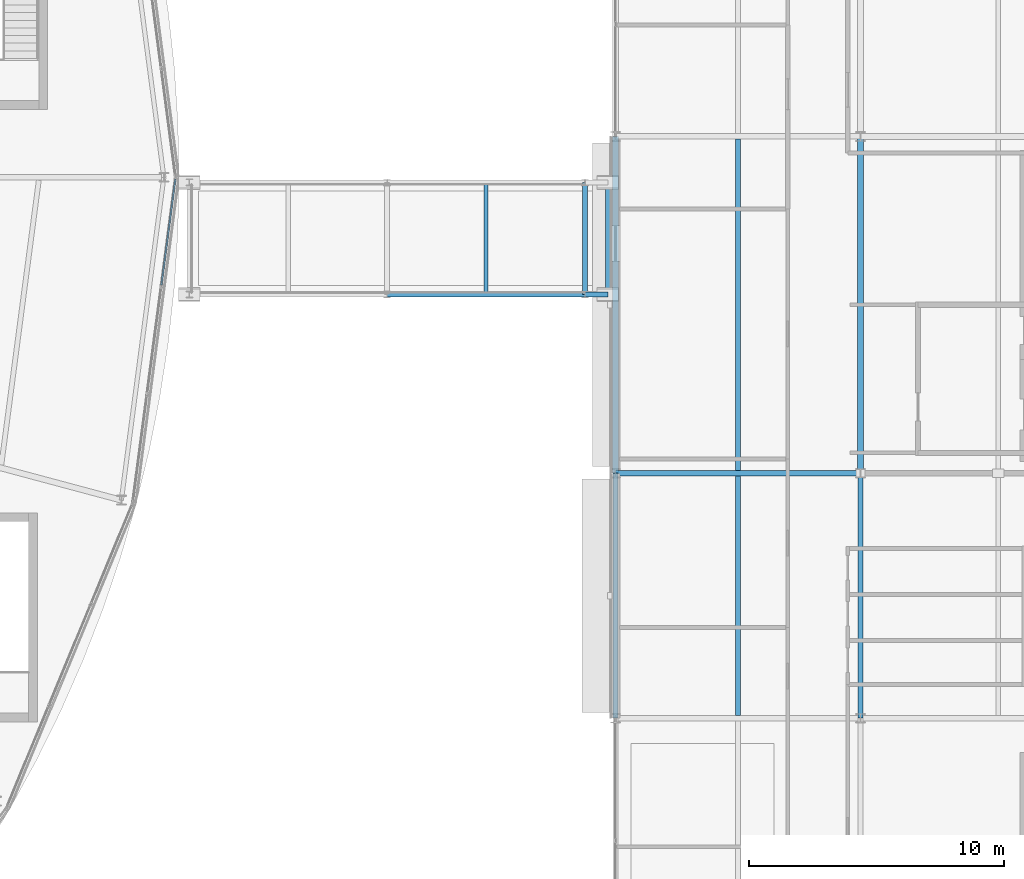
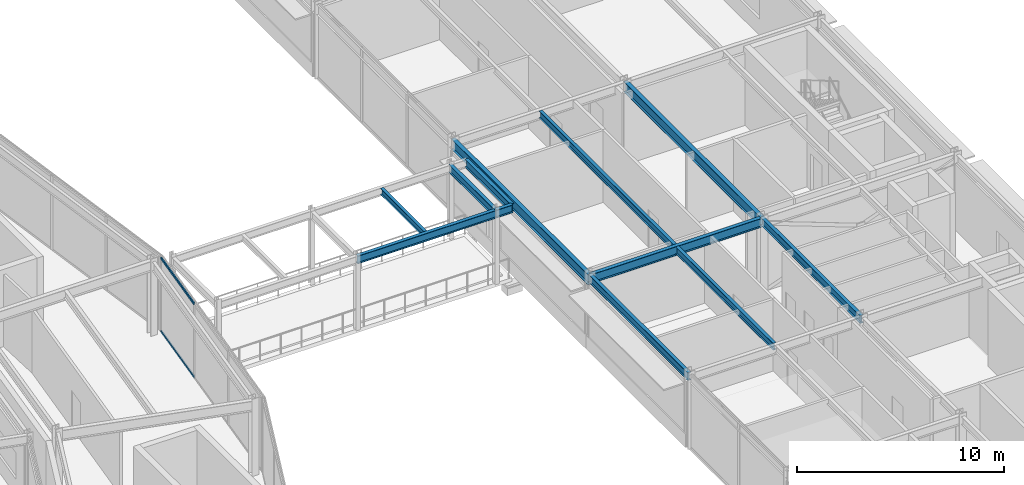
# One storey, part 95 of 157: 12 beams, 2 members, 1 element without a shape of its own.
"""IFC4 building model written with IfcOpenShell, lengths in metres."""

from ifc_helpers import new_model, si_unit, direction, frame, origin, origin_2d, place, context, subcontext, project, spatial, hollow_rectangle, i_section, extrude, material, material_profile, profile_set, type_object, element, aggregate, save


model = new_model("IFC4")

# Units and contexts
model_context = context("Model", 3, precision=1e-05, world=origin(), true_north=direction((0.0, 1.0)))
body_context = subcontext(model_context, "Body", "Model", "MODEL_VIEW")
ifc_project = project(units=[si_unit("LENGTHUNIT", "METRE"), si_unit("AREAUNIT", "SQUARE_METRE"), si_unit("VOLUMEUNIT", "CUBIC_METRE"), si_unit("PLANEANGLEUNIT", "RADIAN"), si_unit("MASSUNIT", "GRAM", prefix="KILO")], contexts=[model_context])

# Site, building, storey
site_placement = place(None, origin())
site = spatial("IfcSite", under=ifc_project, at=site_placement, CompositionType="ELEMENT")
building_placement = place(site_placement, origin())
building = spatial("IfcBuilding", under=site, at=building_placement, Name="Almandine Court Research Institute", CompositionType="ELEMENT")
storey_placement = place(building_placement, frame((0.0, 0.0, 5.25)))
storey = spatial("IfcBuildingStorey", under=building, at=storey_placement, Name="L01", CompositionType="ELEMENT", Elevation=5.25)

# Beams
ifc_material_1 = material(Name="Steel ASTM A992 Grade 50", Category="steel")
ifc_material_profile_1 = material_profile(ifc_material_1, i_section(OverallWidth=0.18994140625, OverallDepth=0.45703125, WebThickness=0.009033203125, FlangeThickness=0.014892578125, at=origin_2d()), Name="W460x74")
ifc_profile_set_1 = profile_set([ifc_material_profile_1], Name="Steel ASTM A992 Grade 50")
beam_type_1 = type_object("IfcBeamType", Name="Beam-B-01", PredefinedType="BEAM", material=ifc_profile_set_1)
for number, where, z_axis, x_axis, name in (
    (1, (153.60009765625, 34.800048828125, 4.14111328125), (0.0, 1.0, 0.0), (-1.0, 0.0, 0.0), "L01 V4 Primary Y Girder"),
    (2, (163.199951171875, 34.800048828125, 4.14111328125), (0.0, 1.0, 0.0), (-1.0, 0.0, 0.0), "L01 V4 Primary Y Girder"),
):
    element("IfcBeam", number, at=place(storey_placement, frame(where, z_axis=z_axis, x_axis=x_axis)), inside=storey, type_object=beam_type_1, Name=name, PredefinedType="BEAM", context=body_context, shape_type="SweptSolid", body=[
        extrude(i_section(OverallWidth=0.18994140625, OverallDepth=0.45703125, WebThickness=0.009033203125, FlangeThickness=0.014892578125, at=origin_2d()), origin(), (0.0, 0.0, 1.0), 9.599853515625),
    ])
ifc_material_profile_2 = material_profile(ifc_material_1, i_section(OverallWidth=0.178955078125, OverallDepth=0.409912109375, WebThickness=0.009033203125, FlangeThickness=0.013916015625, at=origin_2d()), Name="W410x67")
ifc_profile_set_2 = profile_set([ifc_material_profile_2], Name="Steel ASTM A992 Grade 50")
beam_type_2 = type_object("IfcBeamType", Name="Beam-B-02", PredefinedType="JOIST", material=ifc_profile_set_2)
beam_1_placement = place(storey_placement, frame((158.39990234375, 34.903076171875, 4.1650390625), z_axis=(0.0, 1.0, 0.0), x_axis=(-1.0, 0.0, 0.0)))
element("IfcBeam", 3, at=beam_1_placement, inside=storey, type_object=beam_type_2, Name="L01 V4 Composite Secondary Beam", PredefinedType="JOIST", context=body_context, shape_type="SweptSolid", body=[
    extrude(i_section(OverallWidth=0.178955078125, OverallDepth=0.409912109375, WebThickness=0.009033203125, FlangeThickness=0.013916015625, at=origin_2d()), origin(), (0.0, 0.0, 1.0), 9.39404296875),
])
beam_2_placement = place(storey_placement, frame((158.39990234375, 44.5029296875, 4.1650390625), z_axis=(0.0, 1.0, 0.0), x_axis=(-1.0, 0.0, 0.0)))
element("IfcBeam", 4, at=beam_2_placement, inside=storey, type_object=beam_type_2, Name="L01 V4 Composite Secondary Beam", PredefinedType="JOIST", context=body_context, shape_type="SweptSolid", body=[
    extrude(i_section(OverallWidth=0.178955078125, OverallDepth=0.409912109375, WebThickness=0.009033203125, FlangeThickness=0.013916015625, at=origin_2d()), origin(), (0.0, 0.0, 1.0), 12.994140625),
])
ifc_material_profile_3 = material_profile(ifc_material_1, i_section(OverallWidth=0.172119140625, OverallDepth=0.35791015625, WebThickness=0.008056640625, FlangeThickness=0.012939453125, at=origin_2d()), Name="W360x57")
ifc_profile_set_3 = profile_set([ifc_material_profile_3], Name="Steel ASTM A992 Grade 50")
beam_type_3 = type_object("IfcBeamType", Name="Beam-B-03", PredefinedType="JOIST", material=ifc_profile_set_3)
beam_3_placement = place(storey_placement, frame((148.52490234375, 51.493896484375, 4.1708984375), z_axis=(0.0, 1.0, 0.0), x_axis=(-1.0, 0.0, 0.0)))
element("IfcBeam", 5, at=beam_3_placement, inside=storey, type_object=beam_type_3, Name="L01 DAL-E Composite Secondary Beam", PredefinedType="JOIST", context=body_context, shape_type="SweptSolid", body=[
    extrude(i_section(OverallWidth=0.172119140625, OverallDepth=0.35791015625, WebThickness=0.008056640625, FlangeThickness=0.012939453125, at=origin_2d()), origin(), (0.0, 0.0, 1.0), 4.212158203125),
])
ifc_material_profile_4 = material_profile(ifc_material_1, i_section(OverallWidth=0.22802734375, OverallDepth=0.60791015625, WebThickness=0.010986328125, FlangeThickness=0.01708984375, at=origin_2d()), Name="W610x113")
ifc_profile_set_4 = profile_set([ifc_material_profile_4], Name="Steel ASTM A992 Grade 50")
beam_type_4 = type_object("IfcBeamType", Name="Beam-G-03", PredefinedType="BEAM", material=ifc_profile_set_4)
for number, where, z_axis, x_axis, name in (
    (6, (153.60009765625, 44.39990234375, 4.0439453125), (0.0, 1.0, 0.0), (-1.0, 0.0, 0.0), "L01 V4 Primary Y Girder"),
    (7, (163.199951171875, 44.39990234375, 4.06591796875), (0.0, 1.0, 0.0), (-1.0, 0.0, 0.0), "L01 V4 Primary Y Girder"),
):
    element("IfcBeam", number, at=place(storey_placement, frame(where, z_axis=z_axis, x_axis=x_axis)), inside=storey, type_object=beam_type_4, Name=name, PredefinedType="BEAM", context=body_context, shape_type="SweptSolid", body=[
        extrude(i_section(OverallWidth=0.22802734375, OverallDepth=0.60791015625, WebThickness=0.010986328125, FlangeThickness=0.01708984375, at=origin_2d()), origin(), (0.0, 0.0, 1.0), 13.2001953125),
    ])
ifc_material_profile_5 = material_profile(ifc_material_1, i_section(OverallWidth=0.2109375, OverallDepth=0.5390625, WebThickness=0.011962890625, FlangeThickness=0.01904296875, at=origin_2d()), Name="W530x109")
ifc_profile_set_5 = profile_set([ifc_material_profile_5], Name="Steel ASTM A992 Grade 50")
beam_type_5 = type_object("IfcBeamType", Name="Beam-G-04", PredefinedType="BEAM", material=ifc_profile_set_5)
beam_4_placement = place(storey_placement, frame((153.60009765625, 44.39990234375, 4.10009765625), z_axis=(1.0, 0.0, 0.0), x_axis=(0.0, 1.0, 0.0)))
element("IfcBeam", 8, at=beam_4_placement, inside=storey, type_object=beam_type_5, Name="L01 V4 Primary X Girder", PredefinedType="BEAM", context=body_context, shape_type="SweptSolid", body=[
    extrude(i_section(OverallWidth=0.2109375, OverallDepth=0.5390625, WebThickness=0.011962890625, FlangeThickness=0.01904296875, at=origin_2d()), origin(), (0.0, 0.0, 1.0), 9.599853515625),
])
ifc_material_profile_6 = material_profile(ifc_material_1, i_section(OverallWidth=0.193115234375, OverallDepth=0.466064453125, WebThickness=0.010986328125, FlangeThickness=0.01904296875, at=origin_2d()), Name="W460x97")
ifc_profile_set_6 = profile_set([ifc_material_profile_6], Name="Steel ASTM A992 Grade 50")
beam_type_6 = type_object("IfcBeamType", Name="Beam-G-06-E", PredefinedType="SPANDREL", material=ifc_profile_set_6)
beam_5_placement = place(storey_placement, frame((144.64990234375, 51.39990234375, 4.116943359375), z_axis=(1.0, 0.0, 0.0), x_axis=(0.0, 1.0, 0.0)))
element("IfcBeam", 9, at=beam_5_placement, inside=storey, type_object=beam_type_6, Name="L01 DAL-E Primary X Girder", PredefinedType="SPANDREL", context=body_context, shape_type="SweptSolid", body=[
    extrude(i_section(OverallWidth=0.193115234375, OverallDepth=0.466064453125, WebThickness=0.010986328125, FlangeThickness=0.01904296875, at=origin_2d()), origin(), (0.0, 0.0, 1.0), 7.75),
])
beam_6_placement = place(storey_placement, frame((152.39990234375, 51.39990234375, 4.116943359375), z_axis=(0.0, 1.0, 0.0), x_axis=(-1.0, 0.0, 0.0)))
element("IfcBeam", 10, at=beam_6_placement, inside=storey, type_object=beam_type_6, Name="L01 DAL-E Primary Y Girder", PredefinedType="SPANDREL", context=body_context, shape_type="SweptSolid", body=[
    extrude(i_section(OverallWidth=0.193115234375, OverallDepth=0.466064453125, WebThickness=0.010986328125, FlangeThickness=0.01904296875, at=origin_2d()), origin(), (0.0, 0.0, 1.0), 4.400146484375),
])
beam_7_placement = place(storey_placement, frame((152.39990234375, 51.39990234375, 4.116943359375), z_axis=(1.0, 0.0, 0.0), x_axis=(0.0, 1.0, 0.0)))
element("IfcBeam", 11, at=beam_7_placement, inside=storey, type_object=beam_type_6, Name="L01 DAL-E Longitudinal Bridge Edge Girder Extension 1", PredefinedType="SPANDREL", context=body_context, shape_type="SweptSolid", body=[
    extrude(i_section(OverallWidth=0.193115234375, OverallDepth=0.466064453125, WebThickness=0.010986328125, FlangeThickness=0.01904296875, at=origin_2d()), origin(), (0.0, 0.0, 1.0), 0.900146484375),
])
beam_8_placement = place(storey_placement, frame((153.300048828125, 51.39990234375, 4.116943359375), z_axis=(0.0, 1.0, 0.0), x_axis=(-1.0, 0.0, 0.0)))
element("IfcBeam", 12, at=beam_8_placement, inside=storey, type_object=beam_type_6, Name="L01 DAL-E Bridge End Seat Diaphragm Girder", PredefinedType="SPANDREL", context=body_context, shape_type="SweptSolid", body=[
    extrude(i_section(OverallWidth=0.193115234375, OverallDepth=0.466064453125, WebThickness=0.010986328125, FlangeThickness=0.01904296875, at=origin_2d()), origin(), (0.0, 0.0, 1.0), 4.400146484375),
])

# Curtain wall, members
ifc_material_2 = material(Name="Unitised Curtain Wall Framing and Solar Glazing", Category="glass")
curtain_wall_type = type_object("IfcCurtainWallType", Name="CW-CWJ-19", PredefinedType="USERDEFINED", material=ifc_material_2)
curtain_wall_placement = place(storey_placement, origin())
curtain_wall = element("IfcCurtainWall", 13, at=curtain_wall_placement, inside=storey, type_object=curtain_wall_type, Name="L01 Stacked-Ring Drum Outer Solar Jali Screen 23", ObjectType="SOLAR JALI SCREEN", PredefinedType="USERDEFINED")
ifc_material_3 = material(Name="Anodised Aluminium AW-6063-T6", Category="aluminium")
ifc_material_profile_7 = material_profile(ifc_material_3, hollow_rectangle(XDim=0.06494140625, YDim=0.1298828125, WallThickness=0.00390625, at=origin_2d()), Name="ALU RHS 65x130x4")
ifc_profile_set_7 = profile_set([ifc_material_profile_7], Name="Anodised Aluminium AW-6063-T6")
member_type = type_object("IfcMemberType", Name="CWTrn-65x130", PredefinedType="NOTDEFINED", material=ifc_profile_set_7)
member_1_placement = place(storey_placement, frame((136.3515625, 55.931640625, 0.032470703125), z_axis=(-0.130535805655, -0.991443595694, 0.0), x_axis=(0.991443595694, -0.130535805655, 0.0)))
member_1 = element("IfcMember", 14, at=member_1_placement, type_object=member_type, Name="CWJ-19 transom 1.1", ObjectType="TRANSOM", PredefinedType="USERDEFINED", context=body_context, shape_type="SweptSolid", body=[
    extrude(hollow_rectangle(XDim=0.06494140625, YDim=0.1298828125, WallThickness=0.00390625, at=origin_2d()), origin(), (0.0, 0.0, 1.0), 4.195068359375),
])
member_2_placement = place(storey_placement, frame((136.3515625, 55.931640625, 4.33740234375), z_axis=(-0.130535805655, -0.991443595694, 0.0), x_axis=(0.991443595694, -0.130535805655, 0.0)))
member_2 = element("IfcMember", 15, at=member_2_placement, type_object=member_type, Name="CWJ-19 transom 1.2", ObjectType="TRANSOM", PredefinedType="USERDEFINED", context=body_context, shape_type="SweptSolid", body=[
    extrude(hollow_rectangle(XDim=0.06494140625, YDim=0.1298828125, WallThickness=0.00390625, at=origin_2d()), origin(), (0.0, 0.0, 1.0), 4.195068359375),
])
aggregate(curtain_wall, [member_1, member_2])

save(model, "model.ifc")
